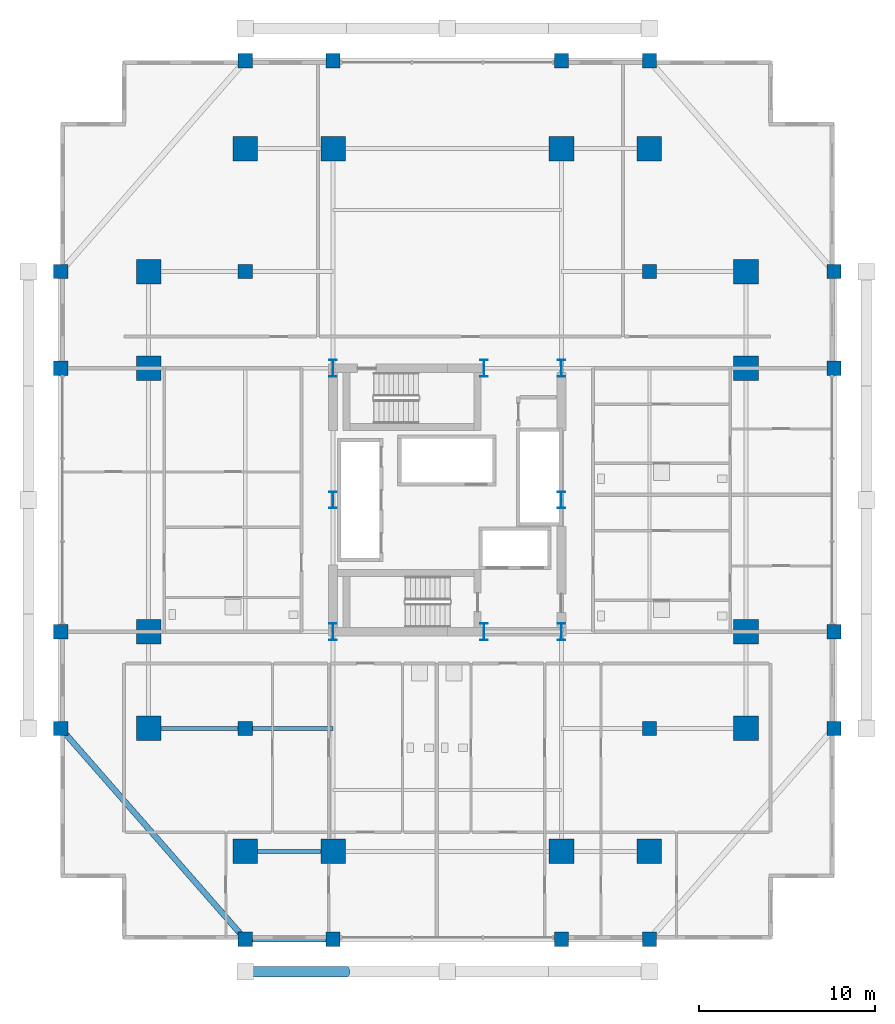
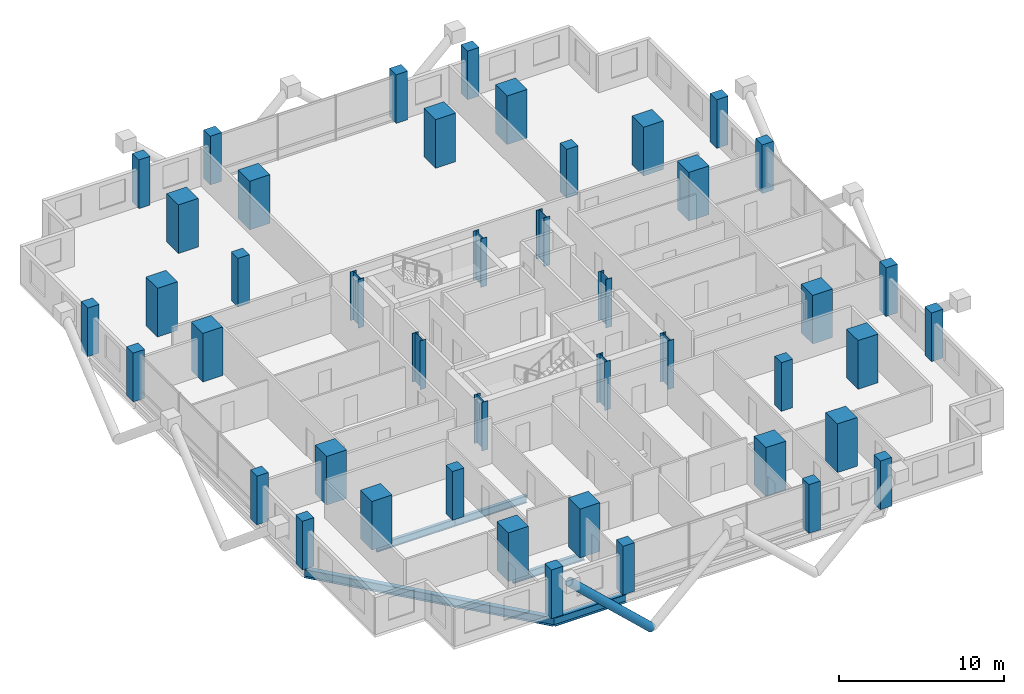
# One storey, part 1 of 23: 44 columns, 5 beams, 1 member.
"""IFC4 building model written with IfcOpenShell, lengths in metres."""

import ifcopenshell
import ifcopenshell.guid

model = None  # the IFC model being written
_history = None  # IfcOwnerHistory: only IFC2X3 demands one
_inside = {}  # id of a spatial element -> (the spatial element, [elements in it])
_under = {}  # id of a project, library or spatial element -> (it, [spatial elements below it])
_declared = {}  # id of a project -> (the project, [libraries it declares])
_typed = {}  # id of a type object -> (the type object, [elements of that type])
_made_of = {}  # id of a material, layer set ... -> (it, [elements and type objects made of it])


def new_model(schema):
    """Start an empty IFC model of exactly this schema.

    Asked for "IFC4X3", IfcOpenShell would pick the latest addendum, in which some entities
    have other attributes; the version numbers below select the first issue.
    IFC2X3 requires an IfcOwnerHistory on every rooted entity: one is made here for all.
    """
    global model, _history
    if schema == "IFC4X3":
        model = ifcopenshell.file(schema_version=(4, 3, 0, 0))
    else:
        model = ifcopenshell.file(schema=schema)
    _inside.clear()
    _under.clear()
    _declared.clear()
    _typed.clear()
    _made_of.clear()
    _history = None
    if model.schema == "IFC2X3":
        org = make("IfcOrganization", Name="unknown")
        user = make(
            "IfcPersonAndOrganization",
            ThePerson=make("IfcPerson", FamilyName="unknown"),
            TheOrganization=org,
        )
        app = make(
            "IfcApplication",
            ApplicationDeveloper=org,
            Version="unknown",
            ApplicationFullName="unknown",
            ApplicationIdentifier="unknown",
        )
        _history = make(
            "IfcOwnerHistory",
            OwningUser=user,
            OwningApplication=app,
            ChangeAction="ADDED",
            CreationDate=0,
        )
    return model


def make(cls, **values):
    """One entity of the class cls with the attributes given. An attribute that is None is left unset."""
    return model.create_entity(
        cls, **{name: value for name, value in values.items() if value is not None}
    )


def rooted(cls, **values):
    """An entity with a GlobalId (a new one), such as an element, a storey or a relation."""
    return make(cls, GlobalId=ifcopenshell.guid.new(), OwnerHistory=_history, **values)


def si_unit(unit_type, name, prefix=None):
    """IfcSIUnit, for example si_unit("LENGTHUNIT", "METRE", prefix="MILLI")."""
    return make("IfcSIUnit", UnitType=unit_type, Prefix=prefix, Name=name)


def assignment(units):
    """IfcUnitAssignment: the units of a project."""
    return None if units is None else make("IfcUnitAssignment", Units=units)


def point(xyz):
    """IfcCartesianPoint."""
    return None if xyz is None else make("IfcCartesianPoint", Coordinates=xyz)


def direction(xyz):
    """IfcDirection."""
    return None if xyz is None else make("IfcDirection", DirectionRatios=xyz)


def frame(location, z_axis=None, x_axis=None):
    """IfcAxis2Placement3D, a coordinate frame: its origin and axes. An axis left out is left unset."""
    return make(
        "IfcAxis2Placement3D",
        Location=point(location),
        Axis=direction(z_axis),
        RefDirection=direction(x_axis),
    )


def frame_2d(location, x_axis=None):
    """IfcAxis2Placement2D, a coordinate frame in the plane: its origin and x axis."""
    return make(
        "IfcAxis2Placement2D", Location=point(location), RefDirection=direction(x_axis)
    )


def origin():
    """The frame at (0, 0, 0) with its axes left unset."""
    return frame((0.0, 0.0, 0.0))


def origin_2d():
    """The frame at (0, 0) in the plane with its x axis left unset."""
    return frame_2d((0.0, 0.0))


def place(relative_to, where):
    """IfcLocalPlacement: puts the frame where relative to a parent placement (None: the world)."""
    return make(
        "IfcLocalPlacement", PlacementRelTo=relative_to, RelativePlacement=where
    )


def context(
    kind, dimensions, precision=None, world=None, true_north=None, identifier=None
):
    """IfcGeometricRepresentationContext, for example the 3D "Model" context."""
    return make(
        "IfcGeometricRepresentationContext",
        ContextIdentifier=identifier,
        ContextType=kind,
        CoordinateSpaceDimension=dimensions,
        Precision=precision,
        WorldCoordinateSystem=world,
        TrueNorth=true_north,
    )


def subcontext(parent, identifier, kind, view, scale=None):
    """IfcGeometricRepresentationSubContext, for example "Body" below "Model"."""
    return make(
        "IfcGeometricRepresentationSubContext",
        ContextIdentifier=identifier,
        ContextType=kind,
        ParentContext=parent,
        TargetScale=scale,
        TargetView=view,
    )


def project(units=None, contexts=None):
    """IfcProject with its units and contexts."""
    return rooted(
        "IfcProject",
        Name="project",
        RepresentationContexts=contexts,
        UnitsInContext=assignment(units),
    )


def spatial(cls, under=None, at=None, **own):
    """A site, building, storey or space (cls), placed at a placement, below another one or the project."""
    s = rooted(cls, ObjectPlacement=at, **own)
    if under is not None:
        _under.setdefault(under.id(), (under, []))[1].append(s)
    return s


def profile(cls, at=None, kind="AREA", **sizes):
    """A parametric profile (cls). Its sizes go by their IFC names, for example OverallWidth=200.0."""
    return make(cls, ProfileType=kind, Position=at, **sizes)


def rectangle(**sizes):
    """IfcRectangleProfileDef."""
    return profile("IfcRectangleProfileDef", **sizes)


def hollow_circle(**sizes):
    """IfcCircleHollowProfileDef."""
    return profile("IfcCircleHollowProfileDef", **sizes)


def i_section(**sizes):
    """IfcIShapeProfileDef."""
    return profile("IfcIShapeProfileDef", **sizes)


def extrude(swept, where, along, depth):
    """IfcExtrudedAreaSolid: the profile swept, set in the frame where, extruded along a direction by depth."""
    return make(
        "IfcExtrudedAreaSolid",
        SweptArea=swept,
        Position=where,
        ExtrudedDirection=direction(along),
        Depth=depth,
    )


def shape(context_of_items, identifier, shape_type, items):
    """IfcShapeRepresentation: the items that make up one representation, for example the "Body"."""
    return make(
        "IfcShapeRepresentation",
        ContextOfItems=context_of_items,
        RepresentationIdentifier=identifier,
        RepresentationType=shape_type,
        Items=items,
    )


def material(Name=None, Category=None):
    """IfcMaterial."""
    return make("IfcMaterial", Name=Name, Category=Category)


def material_profile(
    of_material, cross_section, Name=None, Category=None, Priority=None
):
    """IfcMaterialProfile: a cross section and its material."""
    return make(
        "IfcMaterialProfile",
        Name=Name,
        Material=of_material,
        Profile=cross_section,
        Priority=Priority,
        Category=Category,
    )


def profile_set(profiles, Name=None, composite=None):
    """IfcMaterialProfileSet."""
    return make(
        "IfcMaterialProfileSet",
        Name=Name,
        MaterialProfiles=profiles,
        CompositeProfile=composite,
    )


def made_of(thing, what):
    """Note that an element or type object is made of a material, layer set ...; save() writes the relation."""
    if what is not None:
        _made_of.setdefault(what.id(), (what, []))[1].append(thing)
    return thing


def type_object(cls, material=None, **own):
    """A type object (cls), such as IfcWallType, which elements share."""
    return made_of(rooted(cls, **own), material)


def element(
    cls,
    number,
    at=None,
    inside=None,
    cuts=None,
    type_object=None,
    material=None,
    context=None,
    identifier="Body",
    shape_type=None,
    held_by="IfcProductDefinitionShape",
    body=None,
    shapes=None,
    **own,
):
    """One element of the class cls, such as IfcWall. Its Tag is "e" and its number.

    at: its placement. inside: the storey or other place that contains it. cuts: it is an
    opening in that element (IfcRelVoidsElement). A single representation is given by context,
    identifier, shape_type and body (its items); several are given by shapes. held_by: the class
    of the entity that holds the representations. save() writes the other relations.
    """
    e = rooted(cls, Tag="e%d" % number, ObjectPlacement=at, **own)
    if body is not None:
        shapes = [shape(context, identifier, shape_type, body)]
    if shapes is not None:
        e.Representation = make(held_by, Representations=shapes)
    if inside is not None:
        _inside.setdefault(inside.id(), (inside, []))[1].append(e)
    if cuts is not None:
        rooted(
            "IfcRelVoidsElement", RelatingBuildingElement=cuts, RelatedOpeningElement=e
        )
    if type_object is not None:
        _typed.setdefault(type_object.id(), (type_object, []))[1].append(e)
    return made_of(e, material)


def aggregate(whole, parts):
    """IfcRelAggregates: a whole, such as a stair, and the parts it consists of."""
    return rooted("IfcRelAggregates", RelatingObject=whole, RelatedObjects=parts)


def save(model, path):
    """Write the relations noted so far, then the file.

    IfcRelAggregates (storeys below a building ...), IfcRelContainedInSpatialStructure (elements
    in a storey), IfcRelDefinesByType, IfcRelAssociatesMaterial and IfcRelDeclares: one each for
    every whole, place, type object, material and project.
    """
    for whole, parts in _under.values():
        aggregate(whole, parts)
    for where, things in _inside.values():
        rooted(
            "IfcRelContainedInSpatialStructure",
            RelatedElements=things,
            RelatingStructure=where,
        )
    for kind, things in _typed.values():
        rooted("IfcRelDefinesByType", RelatedObjects=things, RelatingType=kind)
    for what, things in _made_of.values():
        rooted("IfcRelAssociatesMaterial", RelatedObjects=things, RelatingMaterial=what)
    for by, libraries in _declared.values():
        rooted("IfcRelDeclares", RelatingContext=by, RelatedDefinitions=libraries)
    model.write(path)


model = new_model("IFC4")

# Units and contexts
model_context = context("Model", 3, precision=1e-05, world=origin(), true_north=direction((0.0, 1.0)))
body_context = subcontext(model_context, "Body", "Model", "MODEL_VIEW")
ifc_project = project(units=[si_unit("LENGTHUNIT", "METRE"), si_unit("AREAUNIT", "SQUARE_METRE"), si_unit("VOLUMEUNIT", "CUBIC_METRE"), si_unit("PLANEANGLEUNIT", "RADIAN"), si_unit("MASSUNIT", "GRAM", prefix="KILO")], contexts=[model_context])

# Site, building, storey
site_placement = place(None, origin())
site = spatial("IfcSite", under=ifc_project, at=site_placement, CompositionType="ELEMENT")
building_placement = place(site_placement, origin())
building = spatial("IfcBuilding", under=site, at=building_placement, Name="Barlavira Tower and Art Museum", CompositionType="ELEMENT")
storey_placement = place(building_placement, frame((0.0, 0.0, 68.39990234375)))
storey = spatial("IfcBuildingStorey", under=building, at=storey_placement, Name="L16", CompositionType="ELEMENT", Elevation=68.39990234375)

# Columns
ifc_material_1 = material(Name="Steel S355", Category="steel")
ifc_material_profile_1 = material_profile(ifc_material_1, i_section(OverallWidth=0.419921875, OverallDepth=0.9599609375, WebThickness=0.02197265625, FlangeThickness=0.033935546875, at=origin_2d()), Name="W920x387.0")
ifc_profile_set_1 = profile_set([ifc_material_profile_1], Name="Steel S355")
column_type_1 = type_object("IfcColumnType", Name="Core Composite Column W920x387 Steel S355", PredefinedType="COLUMN", material=ifc_profile_set_1)
for number, where, z_axis, x_axis, name in (
    (1, (-6.5, -7.5, 0.0), (0.0, 0.0, 1.0), (1.0, 0.0, 0.0), "L16 Column CC-L16-C1"),
    (2, (2.080078125, -7.5, 0.0), (0.0, 0.0, 1.0), (1.0, 0.0, 0.0), "L16 Column CC-L16-C2"),
    (3, (6.5, -7.5, 0.0), (0.0, 0.0, 1.0), (1.0, 0.0, 0.0), "L16 Column CC-L16-C3"),
    (4, (-6.5, 0.0, 0.0), (0.0, 0.0, 1.0), (1.0, 0.0, 0.0), "L16 Column CC-L16-C4"),
    (5, (6.5, 0.0, 0.0), (0.0, 0.0, 1.0), (1.0, 0.0, 0.0), "L16 Column CC-L16-C5"),
    (6, (-6.5, 7.5, 0.0), (0.0, 0.0, 1.0), (1.0, 0.0, 0.0), "L16 Column CC-L16-C6"),
    (7, (2.080078125, 7.5, 0.0), (0.0, 0.0, 1.0), (1.0, 0.0, 0.0), "L16 Column CC-L16-C7"),
    (8, (6.5, 7.5, 0.0), (0.0, 0.0, 1.0), (1.0, 0.0, 0.0), "L16 Column CC-L16-C8"),
):
    element("IfcColumn", number, at=place(storey_placement, frame(where, z_axis=z_axis, x_axis=x_axis)), inside=storey, type_object=column_type_1, Name=name, PredefinedType="COLUMN", context=body_context, shape_type="SweptSolid", body=[
        extrude(i_section(OverallWidth=0.419921875, OverallDepth=0.9599609375, WebThickness=0.02197265625, FlangeThickness=0.033935546875, at=origin_2d()), origin(), (0.0, 0.0, 1.0), 3.60009765625),
    ])
ifc_material_2 = material(Name="Concrete C60", Category="concrete")
ifc_material_profile_2 = material_profile(ifc_material_2, rectangle(XDim=1.39990234375, YDim=1.39990234375, at=origin_2d()), Name="RC-MCOL 1400x1400")
ifc_profile_set_2 = profile_set([ifc_material_profile_2], Name="Concrete C60")
column_type_2 = type_object("IfcColumnType", Name="Perimeter Mega Column 1400x1400 Concrete C60", PredefinedType="USERDEFINED", material=ifc_profile_set_2)
for number, where, z_axis, x_axis, name in (
    (9, (-11.5, -20.0, 0.0), (0.0, 0.0, 1.0), (1.0, 0.0, 0.0), "L16 Column MC-L16-M01"),
    (10, (-6.5, -20.0, 0.0), (0.0, 0.0, 1.0), (1.0, 0.0, 0.0), "L16 Column MC-L16-M02"),
    (11, (6.5, -20.0, 0.0), (0.0, 0.0, 1.0), (1.0, 0.0, 0.0), "L16 Column MC-L16-M03"),
    (12, (11.5, -20.0, 0.0), (0.0, 0.0, 1.0), (1.0, 0.0, 0.0), "L16 Column MC-L16-M04"),
    (13, (17.0, -13.0, 0.0), (0.0, 0.0, 1.0), (1.0, 0.0, 0.0), "L16 Column MC-L16-M05"),
    (14, (17.0, -7.5, 0.0), (0.0, 0.0, 1.0), (1.0, 0.0, 0.0), "L16 Column MC-L16-M06"),
    (15, (17.0, 7.5, 0.0), (0.0, 0.0, 1.0), (1.0, 0.0, 0.0), "L16 Column MC-L16-M07"),
    (16, (17.0, 13.0, 0.0), (0.0, 0.0, 1.0), (1.0, 0.0, 0.0), "L16 Column MC-L16-M08"),
    (17, (11.5, 20.0, 0.0), (0.0, 0.0, 1.0), (1.0, 0.0, 0.0), "L16 Column MC-L16-M09"),
    (18, (6.5, 20.0, 0.0), (0.0, 0.0, 1.0), (1.0, 0.0, 0.0), "L16 Column MC-L16-M10"),
    (19, (-6.5, 20.0, 0.0), (0.0, 0.0, 1.0), (1.0, 0.0, 0.0), "L16 Column MC-L16-M11"),
    (20, (-11.5, 20.0, 0.0), (0.0, 0.0, 1.0), (1.0, 0.0, 0.0), "L16 Column MC-L16-M12"),
    (21, (-17.0, 13.0, 0.0), (0.0, 0.0, 1.0), (1.0, 0.0, 0.0), "L16 Column MC-L16-M13"),
    (22, (-17.0, 7.5, 0.0), (0.0, 0.0, 1.0), (1.0, 0.0, 0.0), "L16 Column MC-L16-M14"),
    (23, (-17.0, -7.5, 0.0), (0.0, 0.0, 1.0), (1.0, 0.0, 0.0), "L16 Column MC-L16-M15"),
    (24, (-17.0, -13.0, 0.0), (0.0, 0.0, 1.0), (1.0, 0.0, 0.0), "L16 Column MC-L16-M16"),
):
    element("IfcColumn", number, at=place(storey_placement, frame(where, z_axis=z_axis, x_axis=x_axis)), inside=storey, type_object=column_type_2, Name=name, ObjectType="MEGA COLUMN", PredefinedType="USERDEFINED", context=body_context, shape_type="SweptSolid", body=[
        extrude(rectangle(XDim=1.39990234375, YDim=1.39990234375, at=origin_2d()), origin(), (0.0, 0.0, 1.0), 3.60009765625),
    ])
ifc_material_3 = material(Name="Concrete C50", Category="concrete")
ifc_material_profile_3 = material_profile(ifc_material_3, rectangle(XDim=0.800048828125, YDim=0.800048828125, at=origin_2d()), Name="RC-COL 800x800")
ifc_profile_set_3 = profile_set([ifc_material_profile_3], Name="Concrete C50")
column_type_3 = type_object("IfcColumnType", Name="Podium Frame Column 800x800 Concrete C50", PredefinedType="COLUMN", material=ifc_profile_set_3)
for number, where, z_axis, x_axis, name in (
    (25, (-11.5, -13.0, 0.0), (0.0, 0.0, 1.0), (1.0, 0.0, 0.0), "L16 Column CI-L16-I1"),
    (26, (11.5, -13.0, 0.0), (0.0, 0.0, 1.0), (1.0, 0.0, 0.0), "L16 Column CI-L16-I2"),
    (27, (-11.5, 13.0, 0.0), (0.0, 0.0, 1.0), (1.0, 0.0, 0.0), "L16 Column CI-L16-I3"),
    (28, (11.5, 13.0, 0.0), (0.0, 0.0, 1.0), (1.0, 0.0, 0.0), "L16 Column CI-L16-I4"),
    (29, (-11.5, -25.0, 0.0), (0.0, 0.0, 1.0), (1.0, 0.0, 0.0), "L16 Column CZ1-L16-N01"),
    (30, (-6.5, -25.0, 0.0), (0.0, 0.0, 1.0), (1.0, 0.0, 0.0), "L16 Column CZ1-L16-N02"),
    (31, (6.5, -25.0, 0.0), (0.0, 0.0, 1.0), (1.0, 0.0, 0.0), "L16 Column CZ1-L16-N02B"),
    (32, (11.5, -25.0, 0.0), (0.0, 0.0, 1.0), (1.0, 0.0, 0.0), "L16 Column CZ1-L16-N03"),
    (33, (-22.0, -13.0, 0.0), (0.0, 0.0, 1.0), (1.0, 0.0, 0.0), "L16 Column CZ1-L16-N04"),
    (34, (-22.0, -7.5, 0.0), (0.0, 0.0, 1.0), (1.0, 0.0, 0.0), "L16 Column CZ1-L16-N05"),
    (35, (-22.0, 7.5, 0.0), (0.0, 0.0, 1.0), (1.0, 0.0, 0.0), "L16 Column CZ1-L16-N05B"),
    (36, (-22.0, 13.0, 0.0), (0.0, 0.0, 1.0), (1.0, 0.0, 0.0), "L16 Column CZ1-L16-N06"),
    (37, (-11.5, 25.0, 0.0), (0.0, 0.0, 1.0), (1.0, 0.0, 0.0), "L16 Column CZ1-L16-N07"),
    (38, (-6.5, 25.0, 0.0), (0.0, 0.0, 1.0), (1.0, 0.0, 0.0), "L16 Column CZ1-L16-N08"),
    (39, (6.5, 25.0, 0.0), (0.0, 0.0, 1.0), (1.0, 0.0, 0.0), "L16 Column CZ1-L16-N08B"),
    (40, (11.5, 25.0, 0.0), (0.0, 0.0, 1.0), (1.0, 0.0, 0.0), "L16 Column CZ1-L16-N09"),
    (41, (22.0, -13.0, 0.0), (0.0, 0.0, 1.0), (1.0, 0.0, 0.0), "L16 Column CZ1-L16-N10"),
    (42, (22.0, -7.5, 0.0), (0.0, 0.0, 1.0), (1.0, 0.0, 0.0), "L16 Column CZ1-L16-N11"),
    (43, (22.0, 7.5, 0.0), (0.0, 0.0, 1.0), (1.0, 0.0, 0.0), "L16 Column CZ1-L16-N11B"),
    (44, (22.0, 13.0, 0.0), (0.0, 0.0, 1.0), (1.0, 0.0, 0.0), "L16 Column CZ1-L16-N12"),
):
    element("IfcColumn", number, at=place(storey_placement, frame(where, z_axis=z_axis, x_axis=x_axis)), inside=storey, type_object=column_type_3, Name=name, PredefinedType="COLUMN", context=body_context, shape_type="SweptSolid", body=[
        extrude(rectangle(XDim=0.800048828125, YDim=0.800048828125, at=origin_2d()), origin(), (0.0, 0.0, 1.0), 3.60009765625),
    ])

# Member
ifc_material_profile_4 = material_profile(ifc_material_1, hollow_circle(Radius=0.304931640625, WallThickness=0.028076171875, at=origin_2d()), Name="CHS 610.0x28.0")
ifc_profile_set_4 = profile_set([ifc_material_profile_4], Name="Steel S355")
member_type = type_object("IfcMemberType", Name="Pale-Metal Exoskeleton Diagrid Tube CHS 610x28 Steel S355", PredefinedType="BRACE", material=ifc_profile_set_4)
member_placement = place(storey_placement, frame((-5.75, -26.85009765625, -1.919921875), z_axis=(-0.728950095515, 0.0, 0.684566839869), x_axis=(0.0, -1.0, 0.0)))
element("IfcMember", 45, at=member_placement, inside=storey, type_object=member_type, Name="L16 Exoskeleton Diagrid Tube S", PredefinedType="BRACE", context=body_context, shape_type="SweptSolid", body=[
    extrude(hollow_circle(Radius=0.304931640625, WallThickness=0.028076171875, at=origin_2d()), origin(), (0.0, 0.0, 1.0), 7.887939453125),
])

# Beams
ifc_material_profile_5 = material_profile(ifc_material_1, i_section(OverallWidth=0.327880859375, OverallDepth=0.62890625, WebThickness=0.013916015625, FlangeThickness=0.021484375, at=origin_2d()), Name="W610x174.0")
ifc_profile_set_5 = profile_set([ifc_material_profile_5], Name="Steel S355")
beam_type_1 = type_object("IfcBeamType", Name="Perimeter Spandrel Edge Beam W610x174 Steel S355", PredefinedType="SPANDREL", material=ifc_profile_set_5)
beam_1_placement = place(storey_placement, frame((-11.5, -25.0, -0.534423828125), z_axis=(1.0, 0.0, 0.0), x_axis=(0.0, 1.0, 0.0)))
element("IfcBeam", 46, at=beam_1_placement, inside=storey, type_object=beam_type_1, Name="L16 Spandrel 1", PredefinedType="SPANDREL", context=body_context, shape_type="SweptSolid", body=[
    extrude(i_section(OverallWidth=0.327880859375, OverallDepth=0.62890625, WebThickness=0.013916015625, FlangeThickness=0.021484375, at=origin_2d()), origin(), (0.0, 0.0, 1.0), 5.0),
])
beam_2_placement = place(storey_placement, frame((-22.0, -13.0, -0.534423828125), z_axis=(0.658504607869, -0.752576694707, 0.0), x_axis=(0.752576694707, 0.658504607869, 0.0)))
element("IfcBeam", 47, at=beam_2_placement, inside=storey, type_object=beam_type_1, Name="L16 Spandrel 16", PredefinedType="SPANDREL", context=body_context, shape_type="SweptSolid", body=[
    extrude(i_section(OverallWidth=0.327880859375, OverallDepth=0.62890625, WebThickness=0.013916015625, FlangeThickness=0.021484375, at=origin_2d()), origin(), (0.0, 0.0, 1.0), 15.9453125),
])
ifc_material_profile_6 = material_profile(ifc_material_1, i_section(OverallWidth=0.214111328125, OverallDepth=0.549072265625, WebThickness=0.0146484375, FlangeThickness=0.023681640625, at=origin_2d()), Name="W530x138.0")
ifc_profile_set_6 = profile_set([ifc_material_profile_6], Name="Steel S355")
beam_type_2 = type_object("IfcBeamType", Name="Zone 1 Primary Floor Girder W530x138 Steel S355", PredefinedType="BEAM", material=ifc_profile_set_6)
beam_3_placement = place(storey_placement, frame((-11.5, -20.0, -0.494384765625), z_axis=(1.0, 0.0, 0.0), x_axis=(0.0, 1.0, 0.0)))
element("IfcBeam", 48, at=beam_3_placement, inside=storey, type_object=beam_type_2, Name="L16 Girder M-S1", PredefinedType="BEAM", context=body_context, shape_type="SweptSolid", body=[
    extrude(i_section(OverallWidth=0.214111328125, OverallDepth=0.549072265625, WebThickness=0.0146484375, FlangeThickness=0.023681640625, at=origin_2d()), origin(), (0.0, 0.0, 1.0), 5.0),
])
beam_4_placement = place(storey_placement, frame((-17.0, -13.0, -0.494384765625), z_axis=(1.0, 0.0, 0.0), x_axis=(0.0, 1.0, 0.0)))
element("IfcBeam", 49, at=beam_4_placement, inside=storey, type_object=beam_type_2, Name="L16 Girder I-S1", PredefinedType="BEAM", context=body_context, shape_type="SweptSolid", body=[
    extrude(i_section(OverallWidth=0.214111328125, OverallDepth=0.549072265625, WebThickness=0.0146484375, FlangeThickness=0.023681640625, at=origin_2d()), origin(), (0.0, 0.0, 1.0), 5.5),
])
beam_5_placement = place(storey_placement, frame((-11.5, -13.0, -0.494384765625), z_axis=(1.0, 0.0, 0.0), x_axis=(0.0, 1.0, 0.0)))
element("IfcBeam", 50, at=beam_5_placement, inside=storey, type_object=beam_type_2, Name="L16 Girder I-S2", PredefinedType="BEAM", context=body_context, shape_type="SweptSolid", body=[
    extrude(i_section(OverallWidth=0.214111328125, OverallDepth=0.549072265625, WebThickness=0.0146484375, FlangeThickness=0.023681640625, at=origin_2d()), origin(), (0.0, 0.0, 1.0), 5.0),
])

save(model, "model.ifc")
